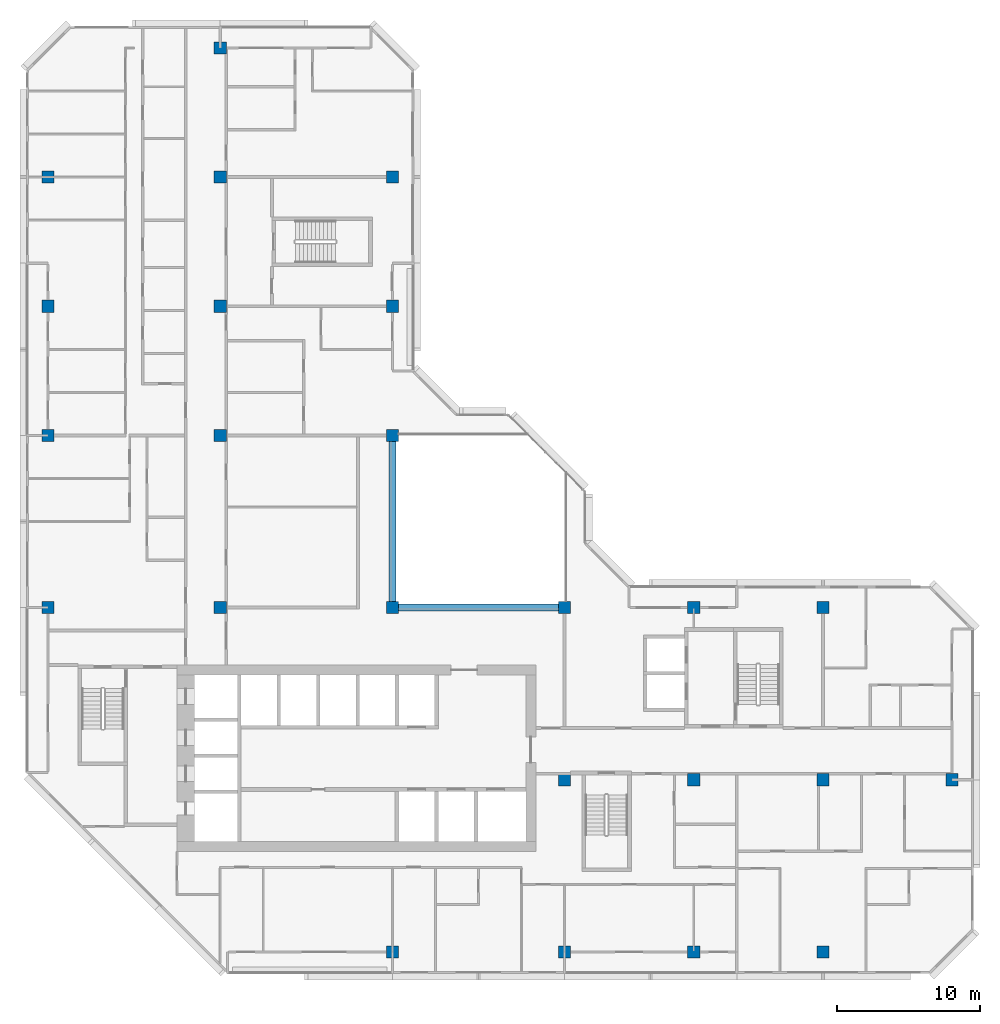
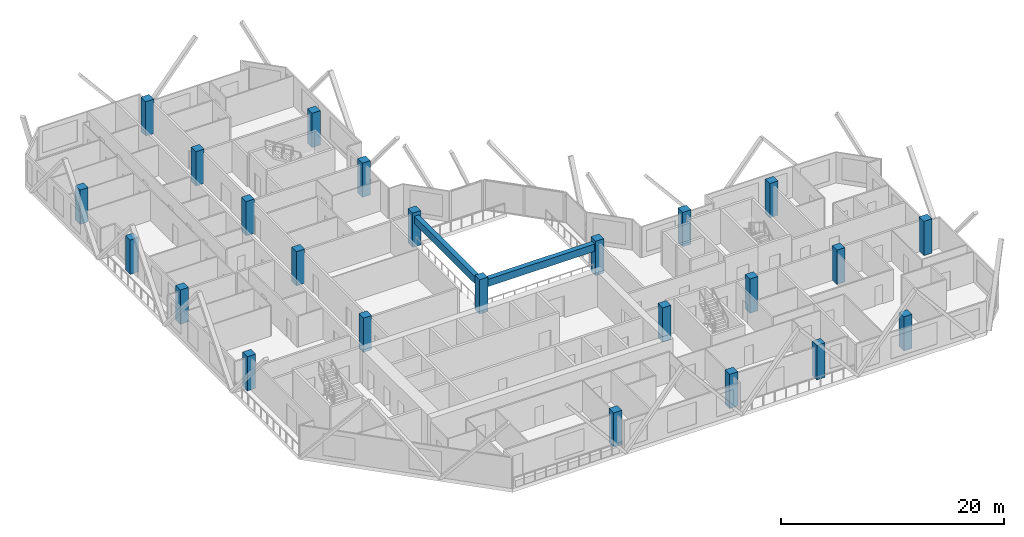
# One storey, part 1 of 15: 24 columns, 2 beams.
"""IFC4 building model written with IfcOpenShell, lengths in metres."""

from ifc_helpers import new_model, si_unit, direction, frame, origin, origin_2d, place, context, subcontext, project, spatial, rectangle, extrude, material, material_profile, profile_set, type_object, element, save


model = new_model("IFC4")

# Units and contexts
model_context = context("Model", 3, precision=1e-05, world=origin(), true_north=direction((0.0, 1.0)))
body_context = subcontext(model_context, "Body", "Model", "MODEL_VIEW")
ifc_project = project(units=[si_unit("LENGTHUNIT", "METRE"), si_unit("AREAUNIT", "SQUARE_METRE"), si_unit("VOLUMEUNIT", "CUBIC_METRE"), si_unit("PLANEANGLEUNIT", "RADIAN"), si_unit("MASSUNIT", "GRAM", prefix="KILO")], contexts=[model_context])

# Site, building, storey
site_placement = place(None, origin())
site = spatial("IfcSite", under=ifc_project, at=site_placement, CompositionType="ELEMENT")
building_placement = place(site_placement, origin())
building = spatial("IfcBuilding", under=site, at=building_placement, Name="Chenar Terraces", CompositionType="ELEMENT")
storey_placement = place(building_placement, frame((0.0, 0.0, 211.64990234375)))
storey = spatial("IfcBuildingStorey", under=building, at=storey_placement, Name="L49", CompositionType="ELEMENT", Elevation=211.64990234375)

# Columns
ifc_material_1 = material(Name="Concrete C60/75", Category="concrete")
ifc_material_profile_1 = material_profile(ifc_material_1, rectangle(XDim=0.85009765625, YDim=0.85009765625, at=origin_2d()), Name="C 850 x 850")
ifc_profile_set_1 = profile_set([ifc_material_profile_1], Name="Concrete C60/75")
column_type = type_object("IfcColumnType", Name="Column C 850 x 850 Concrete C60/75", PredefinedType="COLUMN", material=ifc_profile_set_1)
column_1_placement = place(storey_placement, frame((0.0, 24.0, 0.0), z_axis=(0.0, 0.0, 1.0), x_axis=(1.0, 0.0, 0.0)))
element("IfcColumn", 1, at=column_1_placement, inside=storey, type_object=column_type, Name="Column 5/G L49", PredefinedType="COLUMN", context=body_context, shape_type="SweptSolid", body=[
    extrude(rectangle(XDim=0.85009765625, YDim=0.85009765625, at=origin_2d()), origin(), (0.0, 0.0, 1.0), 3.75),
])
column_2_placement = place(storey_placement, frame((0.0, 36.0, 0.0), z_axis=(0.0, 0.0, 1.0), x_axis=(1.0, 0.0, 0.0)))
element("IfcColumn", 2, at=column_2_placement, inside=storey, type_object=column_type, Name="Column 5/H L49", PredefinedType="COLUMN", context=body_context, shape_type="SweptSolid", body=[
    extrude(rectangle(XDim=0.85009765625, YDim=0.85009765625, at=origin_2d()), origin(), (0.0, 0.0, 1.0), 3.75),
])
for number, where, z_axis, x_axis, name in (
    (3, (0.0, 45.0, 0.0), (0.0, 0.0, 1.0), (1.0, 0.0, 0.0), "Column 5/J L49"),
    (4, (0.0, 54.0, 0.0), (0.0, 0.0, 1.0), (1.0, 0.0, 0.0), "Column 5/K L49"),
    (5, (12.0, 24.0, 0.0), (0.0, 0.0, 1.0), (1.0, 0.0, 0.0), "Column 6/G L49"),
    (6, (12.0, 36.0, 0.0), (0.0, 0.0, 1.0), (1.0, 0.0, 0.0), "Column 6/H L49"),
    (7, (12.0, 45.0, 0.0), (0.0, 0.0, 1.0), (1.0, 0.0, 0.0), "Column 6/J L49"),
    (8, (12.0, 54.0, 0.0), (0.0, 0.0, 1.0), (1.0, 0.0, 0.0), "Column 6/K L49"),
    (9, (12.0, 63.0, 0.0), (0.0, 0.0, 1.0), (1.0, 0.0, 0.0), "Column 6/L L49"),
    (10, (24.0, 0.0, 0.0), (0.0, 0.0, 1.0), (1.0, 0.0, 0.0), "Column 7/E L49"),
    (11, (24.0, 24.0, 0.0), (0.0, 0.0, 1.0), (1.0, 0.0, 0.0), "Column 7/G L49"),
    (12, (24.0, 36.0, 0.0), (0.0, 0.0, 1.0), (1.0, 0.0, 0.0), "Column 7/H L49"),
    (13, (24.0, 45.0, 0.0), (0.0, 0.0, 1.0), (1.0, 0.0, 0.0), "Column 7/J L49"),
    (14, (24.0, 54.0, 0.0), (0.0, 0.0, 1.0), (1.0, 0.0, 0.0), "Column 7/K L49"),
    (15, (36.0, 0.0, 0.0), (0.0, 0.0, 1.0), (1.0, 0.0, 0.0), "Column 8/E L49"),
    (16, (36.0, 12.0, 0.0), (0.0, 0.0, 1.0), (1.0, 0.0, 0.0), "Column 8/F L49"),
    (17, (36.0, 24.0, 0.0), (0.0, 0.0, 1.0), (1.0, 0.0, 0.0), "Column 8/G L49"),
    (18, (45.0, 0.0, 0.0), (0.0, 0.0, 1.0), (1.0, 0.0, 0.0), "Column 9/E L49"),
    (19, (45.0, 12.0, 0.0), (0.0, 0.0, 1.0), (1.0, 0.0, 0.0), "Column 9/F L49"),
    (20, (45.0, 24.0, 0.0), (0.0, 0.0, 1.0), (1.0, 0.0, 0.0), "Column 9/G L49"),
    (21, (54.0, 0.0, 0.0), (0.0, 0.0, 1.0), (1.0, 0.0, 0.0), "Column 10/E L49"),
    (22, (54.0, 12.0, 0.0), (0.0, 0.0, 1.0), (1.0, 0.0, 0.0), "Column 10/F L49"),
    (23, (54.0, 24.0, 0.0), (0.0, 0.0, 1.0), (1.0, 0.0, 0.0), "Column 10/G L49"),
    (24, (63.0, 12.0, 0.0), (0.0, 0.0, 1.0), (1.0, 0.0, 0.0), "Column 11/F L49"),
):
    element("IfcColumn", number, at=place(storey_placement, frame(where, z_axis=z_axis, x_axis=x_axis)), inside=storey, type_object=column_type, Name=name, PredefinedType="COLUMN", context=body_context, shape_type="SweptSolid", body=[
        extrude(rectangle(XDim=0.85009765625, YDim=0.85009765625, at=origin_2d()), origin(), (0.0, 0.0, 1.0), 3.75),
    ])

# Beams
ifc_material_2 = material(Name="Concrete C40/50", Category="concrete")
ifc_material_profile_2 = material_profile(ifc_material_2, rectangle(XDim=0.5, YDim=0.800048828125, at=origin_2d()), Name="RC 500 x 800")
ifc_profile_set_2 = profile_set([ifc_material_profile_2], Name="Concrete C40/50")
beam_type = type_object("IfcBeamType", Name="Atrium edge beam 500 x 800 Concrete C40/50", PredefinedType="BEAM", material=ifc_profile_set_2)
for number, where, z_axis, x_axis, name in (
    (25, (24.425048828125, 24.0, 2.9501953125), (1.0, 0.0, 0.0), (0.0, 1.0, 0.0), "Atrium edge beam L50 1"),
    (26, (24.0, 35.574951171875, 2.9501953125), (0.0, -1.0, 0.0), (1.0, 0.0, 0.0), "Atrium edge beam L50 4"),
):
    element("IfcBeam", number, at=place(storey_placement, frame(where, z_axis=z_axis, x_axis=x_axis)), inside=storey, type_object=beam_type, Name=name, PredefinedType="BEAM", context=body_context, shape_type="SweptSolid", body=[
        extrude(rectangle(XDim=0.5, YDim=0.800048828125, at=origin_2d()), origin(), (0.0, 0.0, 1.0), 11.14990234375),
    ])

save(model, "model.ifc")
